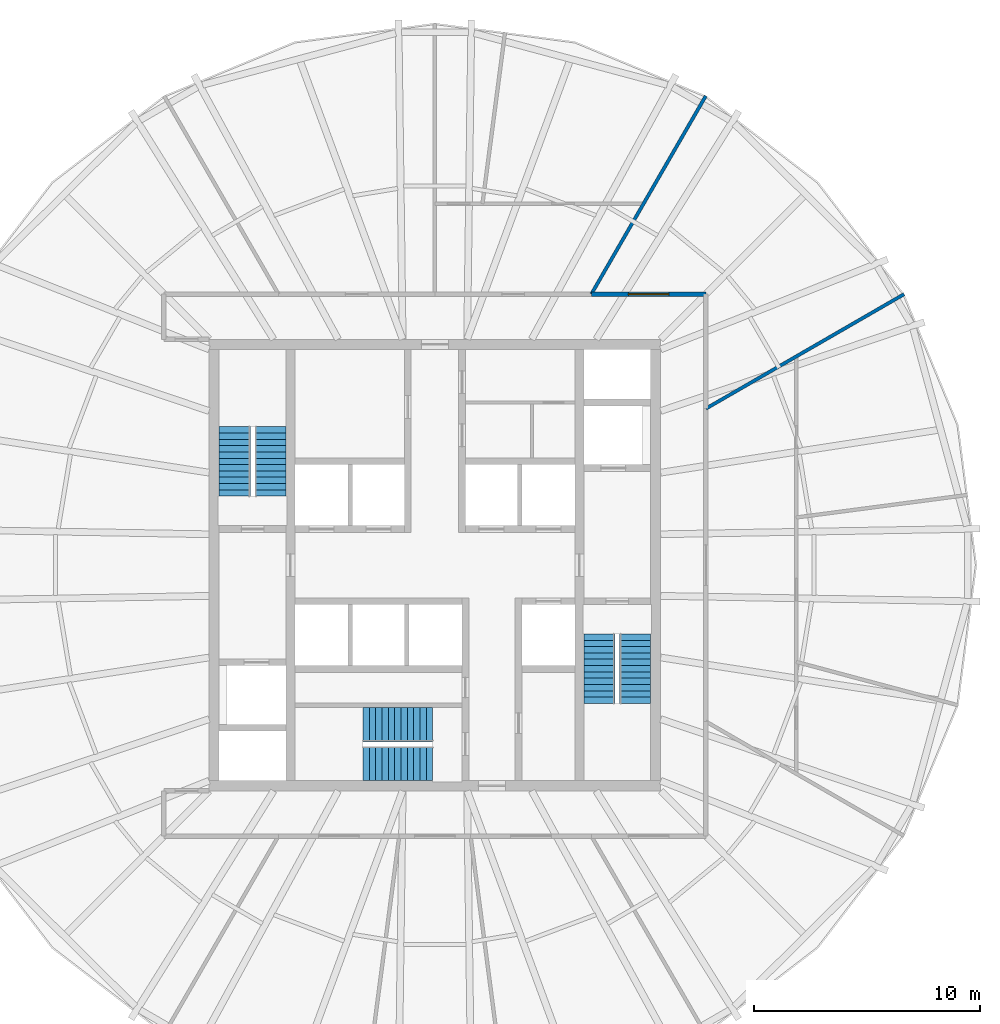
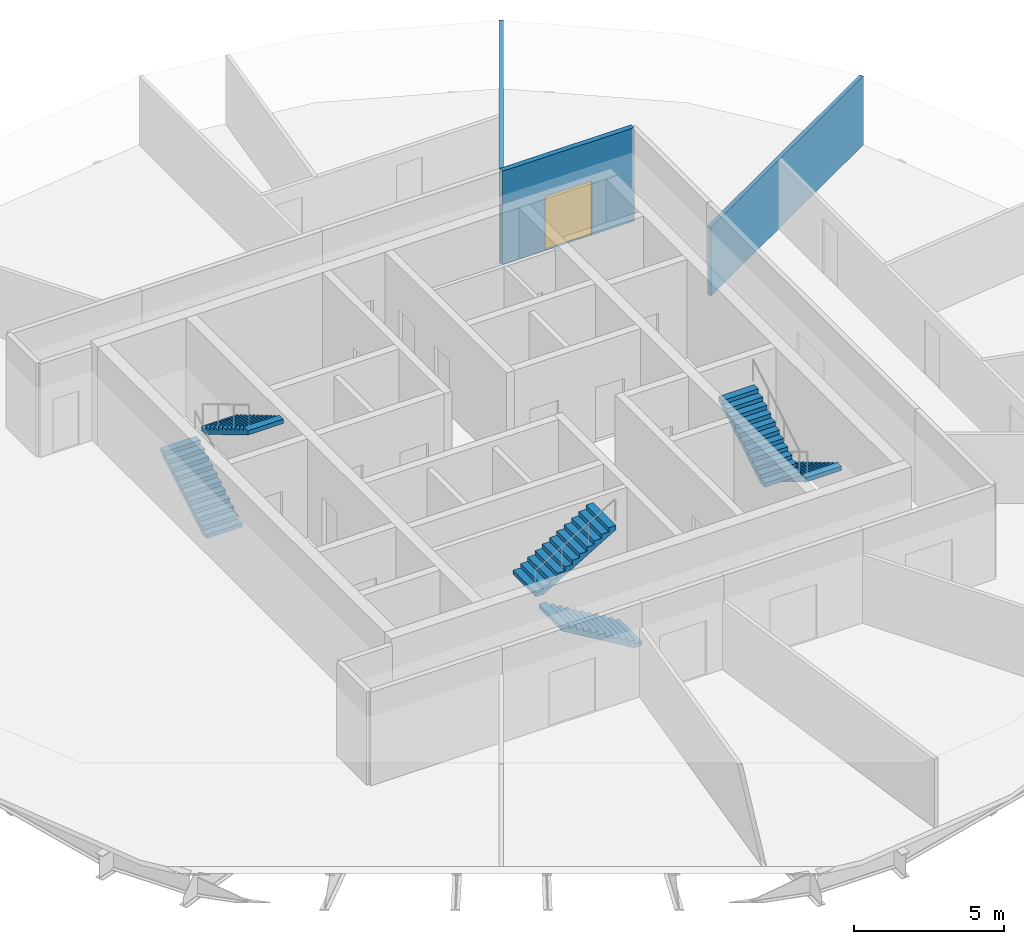
# One storey, part 5 of 6: 6 stair flights, 3 walls, 1 door, 1 opening, 3 elements without a shape of their own.
"""IFC4 building model written with IfcOpenShell, lengths in metres."""

from ifc_helpers import new_model, si_unit, direction, frame, frame_2d, origin, place, context, subcontext, project, spatial, polyline, rectangle, outline, extrude, material, layer, layer_set, type_object, element, fill, aggregate, save


model = new_model("IFC4")

# Units and contexts
model_context = context("Model", 3, precision=1e-05, world=origin(), true_north=direction((0.0, 1.0)))
body_context = subcontext(model_context, "Body", "Model", "MODEL_VIEW")
ifc_project = project(units=[si_unit("LENGTHUNIT", "METRE"), si_unit("AREAUNIT", "SQUARE_METRE"), si_unit("VOLUMEUNIT", "CUBIC_METRE"), si_unit("PLANEANGLEUNIT", "RADIAN"), si_unit("MASSUNIT", "GRAM", prefix="KILO")], contexts=[model_context])

# Site, building, storey
site_placement = place(None, origin())
site = spatial("IfcSite", under=ifc_project, at=site_placement, CompositionType="ELEMENT")
building_placement = place(site_placement, origin())
building = spatial("IfcBuilding", under=site, at=building_placement, Name="Golbaran Civic Tower", CompositionType="ELEMENT")
storey_placement = place(building_placement, frame((0.0, 0.0, 179.0)))
storey = spatial("IfcBuildingStorey", under=building, at=storey_placement, Name="L43", CompositionType="ELEMENT", Elevation=179.0)

# Wall, opening, door
ifc_material_1 = material(Name="Gypsum board on steel studs, fire-rated", Category="steel")
ifc_layer_1 = layer(ifc_material_1, 0.199951171875, Name="Gypsum board on steel studs, fire-rated")
ifc_layer_set_1 = layer_set([ifc_layer_1], Name="Gypsum board on steel studs, fire-rated")
wall_type_1 = type_object("IfcWallType", Name="CORRIDOR WALL 200", PredefinedType="PARTITIONING", material=ifc_layer_set_1)
wall_placement = place(storey_placement, frame((12.0, 12.0, 0.0), z_axis=(0.0, 0.0, 1.0), x_axis=(-1.0, 0.0, 0.0)))
wall = element("IfcWall", 1, at=wall_placement, inside=storey, type_object=wall_type_1, Name="Corridor wall L43", PredefinedType="PARTITIONING", context=body_context, shape_type="SweptSolid", body=[
    extrude(rectangle(XDim=5.07177734375, YDim=0.199951171875, at=frame_2d((2.535888671875, 0.0))), origin(), (0.0, 0.0, 1.0), 3.800048828125),
])
opening_placement = place(wall_placement, frame((1.635986328125, 0.0, 0.0)))
opening = element("IfcOpeningElement", 2, at=opening_placement, cuts=wall, Name="Opening L43.07", PredefinedType="OPENING", context=body_context, shape_type="SweptSolid", body=[
    extrude(rectangle(XDim=1.800048828125, YDim=2.199951171875, at=frame_2d((0.89990234375, 1.10009765625))), frame((0.0, 0.10986328125, 0.0), z_axis=(0.0, -1.0, 0.0), x_axis=(1.0, 0.0, 0.0)), (0.0, 0.0, 1.0), 0.219970703125),
])
ifc_material_2 = material(Name="Timber door set in steel frame", Category="steel")
door_type = type_object("IfcDoorType", Name="OFFICE DOUBLE DOOR 1800x2200", OperationType="DOUBLE_DOOR_SINGLE_SWING", PredefinedType="DOOR", material=ifc_material_2)
door_placement = place(opening_placement, origin())
door = element("IfcDoor", 3, at=door_placement, inside=storey, type_object=door_type, Name="Open Office door L43", OperationType="DOUBLE_DOOR_SINGLE_SWING", OverallHeight=2.199951171875, OverallWidth=1.800048828125, PredefinedType="DOOR", context=body_context, shape_type="SweptSolid", body=[
    extrude(rectangle(XDim=1.800048828125, YDim=2.199951171875, at=frame_2d((0.89990234375, 1.10009765625))), frame((0.0, 0.02490234375, 0.0), z_axis=(0.0, -1.0, 0.0), x_axis=(1.0, 0.0, 0.0)), (0.0, 0.0, 1.0), 0.050048828125),
])
fill(opening, door)

# Walls
ifc_material_3 = material(Name="Gypsum board on steel studs", Category="steel")
ifc_layer_2 = layer(ifc_material_3, 0.14990234375, Name="Gypsum board on steel studs")
ifc_layer_set_2 = layer_set([ifc_layer_2], Name="Gypsum board on steel studs")
wall_type_2 = type_object("IfcWallType", Name="OFFICE PARTITION 150", PredefinedType="PARTITIONING", material=ifc_layer_set_2)
for number, where, z_axis, x_axis, name in (
    (4, (12.0, 6.92822265625, 0.0), (0.0, 0.0, 1.0), (0.866025941747, 0.49999906822, 0.0), "Partition 30 L43"),
    (5, (6.92822265625, 12.0, 0.0), (0.0, 0.0, 1.0), (0.49999906822, 0.866025941747, 0.0), "Partition 60 L43"),
):
    element("IfcWall", number, at=place(storey_placement, frame(where, z_axis=z_axis, x_axis=x_axis)), inside=storey, type_object=wall_type_2, Name=name, PredefinedType="PARTITIONING", context=body_context, shape_type="SweptSolid", body=[
        extrude(rectangle(XDim=10.1357421875, YDim=0.14990234375, at=frame_2d((5.06787109375, 0.0))), origin(), (0.0, 0.0, 1.0), 2.7900390625),
    ])

# Stair, stair flights
ifc_material_4 = material(Name="Concrete C35/45", Category="concrete")
stair_type_1 = type_object("IfcStairType", Name="EXIT STAIR 2950 x 7800, 4000 RISE", PredefinedType="HALF_TURN_STAIR", material=ifc_material_4)
stair_1_placement = place(storey_placement, origin())
stair_1 = element("IfcStair", 6, at=stair_1_placement, inside=storey, type_object=stair_type_1, Name="Stair S1 L43", PredefinedType="HALF_TURN_STAIR")
stair_flight_type_1 = type_object("IfcStairFlightType", Name="STAIR FLIGHT 1375 WIDE", PredefinedType="STRAIGHT", material=ifc_material_4)
stair_flight_1_placement = place(storey_placement, frame((-8.862548828125, 3.050048828125, 0.0), z_axis=(0.0, 0.0, 1.0), x_axis=(0.0, 1.0, 0.0)))
stair_flight_1 = element("IfcStairFlight", 7, at=stair_flight_1_placement, type_object=stair_flight_type_1, Name="ST29578-40 flight 1", NumberOfRisers=12, NumberOfTreads=11, PredefinedType="STRAIGHT", RiserHeight=0.166666667, TreadLength=0.28, context=body_context, shape_type="SweptSolid", body=[
    extrude(outline(polyline([(0.0, 0.0), (0.0, 0.166748046875), (0.280029296875, 0.166748046875), (0.280029296875, 0.333251953125), (0.56005859375, 0.333251953125), (0.56005859375, 0.5), (0.840087890625, 0.5), (0.840087890625, 0.666748046875), (1.1201171875, 0.666748046875), (1.1201171875, 0.833251953125), (1.39990234375, 0.833251953125), (1.39990234375, 1.0), (1.679931640625, 1.0), (1.679931640625, 1.166748046875), (1.9599609375, 1.166748046875), (1.9599609375, 1.333251953125), (2.239990234375, 1.333251953125), (2.239990234375, 1.5), (2.52001953125, 1.5), (2.52001953125, 1.666748046875), (2.800048828125, 1.666748046875), (2.800048828125, 1.833251953125), (3.080078125, 1.833251953125), (3.080078125, 2.0), (3.080078125, 1.658935546875), (0.29296875, 0.0), (0.0, 0.0)])), frame((0.0, 0.6875, 0.0), z_axis=(0.0, -1.0, 0.0), x_axis=(1.0, 0.0, 0.0)), (0.0, 0.0, 1.0), 1.375),
])
stair_flight_2_placement = place(storey_placement, frame((-7.28759765625, 6.1298828125, 2.0), z_axis=(0.0, 0.0, 1.0), x_axis=(0.0, -1.0, 0.0)))
stair_flight_2 = element("IfcStairFlight", 8, at=stair_flight_2_placement, type_object=stair_flight_type_1, Name="ST29578-40 flight 2", NumberOfRisers=12, NumberOfTreads=11, PredefinedType="STRAIGHT", RiserHeight=0.166666667, TreadLength=0.28, context=body_context, shape_type="SweptSolid", body=[
    extrude(outline(polyline([(0.0, 0.0), (0.0, 0.166748046875), (0.280029296875, 0.166748046875), (0.280029296875, 0.333251953125), (0.56005859375, 0.333251953125), (0.56005859375, 0.5), (0.840087890625, 0.5), (0.840087890625, 0.666748046875), (1.1201171875, 0.666748046875), (1.1201171875, 0.833251953125), (1.39990234375, 0.833251953125), (1.39990234375, 1.0), (1.679931640625, 1.0), (1.679931640625, 1.166748046875), (1.9599609375, 1.166748046875), (1.9599609375, 1.333251953125), (2.239990234375, 1.333251953125), (2.239990234375, 1.5), (2.52001953125, 1.5), (2.52001953125, 1.666748046875), (2.800048828125, 1.666748046875), (2.800048828125, 1.833251953125), (3.080078125, 1.833251953125), (3.080078125, 2.0), (3.080078125, 1.658935546875), (0.29296875, 0.0), (0.0, 0.0)])), frame((0.0, 0.6875, 0.0), z_axis=(0.0, -1.0, 0.0), x_axis=(1.0, 0.0, 0.0)), (0.0, 0.0, 1.0), 1.375),
])
aggregate(stair_1, [stair_flight_1, stair_flight_2])

stair_2_placement = place(storey_placement, origin())
stair_2 = element("IfcStair", 9, at=stair_2_placement, inside=storey, type_object=stair_type_1, Name="Stair S2 L43", PredefinedType="HALF_TURN_STAIR")
stair_flight_3_placement = place(storey_placement, frame((8.862548828125, -3.050048828125, 0.0), z_axis=(0.0, 0.0, 1.0), x_axis=(0.0, -1.0, 0.0)))
stair_flight_3 = element("IfcStairFlight", 10, at=stair_flight_3_placement, type_object=stair_flight_type_1, Name="ST29578-40 flight 1", NumberOfRisers=12, NumberOfTreads=11, PredefinedType="STRAIGHT", RiserHeight=0.166666667, TreadLength=0.28, context=body_context, shape_type="SweptSolid", body=[
    extrude(outline(polyline([(0.0, 0.0), (0.0, 0.166748046875), (0.280029296875, 0.166748046875), (0.280029296875, 0.333251953125), (0.56005859375, 0.333251953125), (0.56005859375, 0.5), (0.840087890625, 0.5), (0.840087890625, 0.666748046875), (1.1201171875, 0.666748046875), (1.1201171875, 0.833251953125), (1.39990234375, 0.833251953125), (1.39990234375, 1.0), (1.679931640625, 1.0), (1.679931640625, 1.166748046875), (1.9599609375, 1.166748046875), (1.9599609375, 1.333251953125), (2.239990234375, 1.333251953125), (2.239990234375, 1.5), (2.52001953125, 1.5), (2.52001953125, 1.666748046875), (2.800048828125, 1.666748046875), (2.800048828125, 1.833251953125), (3.080078125, 1.833251953125), (3.080078125, 2.0), (3.080078125, 1.658935546875), (0.29296875, 0.0), (0.0, 0.0)])), frame((0.0, 0.6875, 0.0), z_axis=(0.0, -1.0, 0.0), x_axis=(1.0, 0.0, 0.0)), (0.0, 0.0, 1.0), 1.375),
])
stair_flight_4_placement = place(storey_placement, frame((7.28759765625, -6.1298828125, 2.0), z_axis=(0.0, 0.0, 1.0), x_axis=(0.0, 1.0, 0.0)))
stair_flight_4 = element("IfcStairFlight", 11, at=stair_flight_4_placement, type_object=stair_flight_type_1, Name="ST29578-40 flight 2", NumberOfRisers=12, NumberOfTreads=11, PredefinedType="STRAIGHT", RiserHeight=0.166666667, TreadLength=0.28, context=body_context, shape_type="SweptSolid", body=[
    extrude(outline(polyline([(0.0, 0.0), (0.0, 0.166748046875), (0.280029296875, 0.166748046875), (0.280029296875, 0.333251953125), (0.56005859375, 0.333251953125), (0.56005859375, 0.5), (0.840087890625, 0.5), (0.840087890625, 0.666748046875), (1.1201171875, 0.666748046875), (1.1201171875, 0.833251953125), (1.39990234375, 0.833251953125), (1.39990234375, 1.0), (1.679931640625, 1.0), (1.679931640625, 1.166748046875), (1.9599609375, 1.166748046875), (1.9599609375, 1.333251953125), (2.239990234375, 1.333251953125), (2.239990234375, 1.5), (2.52001953125, 1.5), (2.52001953125, 1.666748046875), (2.800048828125, 1.666748046875), (2.800048828125, 1.833251953125), (3.080078125, 1.833251953125), (3.080078125, 2.0), (3.080078125, 1.658935546875), (0.29296875, 0.0), (0.0, 0.0)])), frame((0.0, 0.6875, 0.0), z_axis=(0.0, -1.0, 0.0), x_axis=(1.0, 0.0, 0.0)), (0.0, 0.0, 1.0), 1.375),
])
aggregate(stair_2, [stair_flight_3, stair_flight_4])

stair_type_2 = type_object("IfcStairType", Name="EXIT STAIR 3250 x 7400, 4000 RISE", PredefinedType="HALF_TURN_STAIR", material=ifc_material_4)
stair_3_placement = place(storey_placement, origin())
stair_3 = element("IfcStair", 12, at=stair_3_placement, inside=storey, type_object=stair_type_2, Name="Stair S3 L43", PredefinedType="HALF_TURN_STAIR")
stair_flight_type_2 = type_object("IfcStairFlightType", Name="STAIR FLIGHT 1525 WIDE", PredefinedType="STRAIGHT", material=ifc_material_4)
stair_flight_5_placement = place(storey_placement, frame((-0.10009765625, -8.78759765625, 0.0), z_axis=(0.0, 0.0, 1.0), x_axis=(-1.0, 0.0, 0.0)))
stair_flight_5 = element("IfcStairFlight", 13, at=stair_flight_5_placement, type_object=stair_flight_type_2, Name="ST32574-40 flight 1", NumberOfRisers=12, NumberOfTreads=11, PredefinedType="STRAIGHT", RiserHeight=0.166666667, TreadLength=0.28, context=body_context, shape_type="SweptSolid", body=[
    extrude(outline(polyline([(0.0, 0.0), (0.0, 0.166748046875), (0.280029296875, 0.166748046875), (0.280029296875, 0.333251953125), (0.56005859375, 0.333251953125), (0.56005859375, 0.5), (0.840087890625, 0.5), (0.840087890625, 0.666748046875), (1.1201171875, 0.666748046875), (1.1201171875, 0.833251953125), (1.39990234375, 0.833251953125), (1.39990234375, 1.0), (1.679931640625, 1.0), (1.679931640625, 1.166748046875), (1.9599609375, 1.166748046875), (1.9599609375, 1.333251953125), (2.239990234375, 1.333251953125), (2.239990234375, 1.5), (2.52001953125, 1.5), (2.52001953125, 1.666748046875), (2.800048828125, 1.666748046875), (2.800048828125, 1.833251953125), (3.080078125, 1.833251953125), (3.080078125, 2.0), (3.080078125, 1.658935546875), (0.29296875, 0.0), (0.0, 0.0)])), frame((0.0, 0.762451171875, 0.0), z_axis=(0.0, -1.0, 0.0), x_axis=(1.0, 0.0, 0.0)), (0.0, 0.0, 1.0), 1.52490234375),
])
stair_flight_6_placement = place(storey_placement, frame((-3.179931640625, -7.0625, 2.0), z_axis=(0.0, 0.0, 1.0), x_axis=(1.0, 0.0, 0.0)))
stair_flight_6 = element("IfcStairFlight", 14, at=stair_flight_6_placement, type_object=stair_flight_type_2, Name="ST32574-40 flight 2", NumberOfRisers=12, NumberOfTreads=11, PredefinedType="STRAIGHT", RiserHeight=0.166666667, TreadLength=0.28, context=body_context, shape_type="SweptSolid", body=[
    extrude(outline(polyline([(0.0, 0.0), (0.0, 0.166748046875), (0.280029296875, 0.166748046875), (0.280029296875, 0.333251953125), (0.56005859375, 0.333251953125), (0.56005859375, 0.5), (0.840087890625, 0.5), (0.840087890625, 0.666748046875), (1.1201171875, 0.666748046875), (1.1201171875, 0.833251953125), (1.39990234375, 0.833251953125), (1.39990234375, 1.0), (1.679931640625, 1.0), (1.679931640625, 1.166748046875), (1.9599609375, 1.166748046875), (1.9599609375, 1.333251953125), (2.239990234375, 1.333251953125), (2.239990234375, 1.5), (2.52001953125, 1.5), (2.52001953125, 1.666748046875), (2.800048828125, 1.666748046875), (2.800048828125, 1.833251953125), (3.080078125, 1.833251953125), (3.080078125, 2.0), (3.080078125, 1.658935546875), (0.29296875, 0.0), (0.0, 0.0)])), frame((0.0, 0.762451171875, 0.0), z_axis=(0.0, -1.0, 0.0), x_axis=(1.0, 0.0, 0.0)), (0.0, 0.0, 1.0), 1.52490234375),
])
aggregate(stair_3, [stair_flight_5, stair_flight_6])

save(model, "model.ifc")
